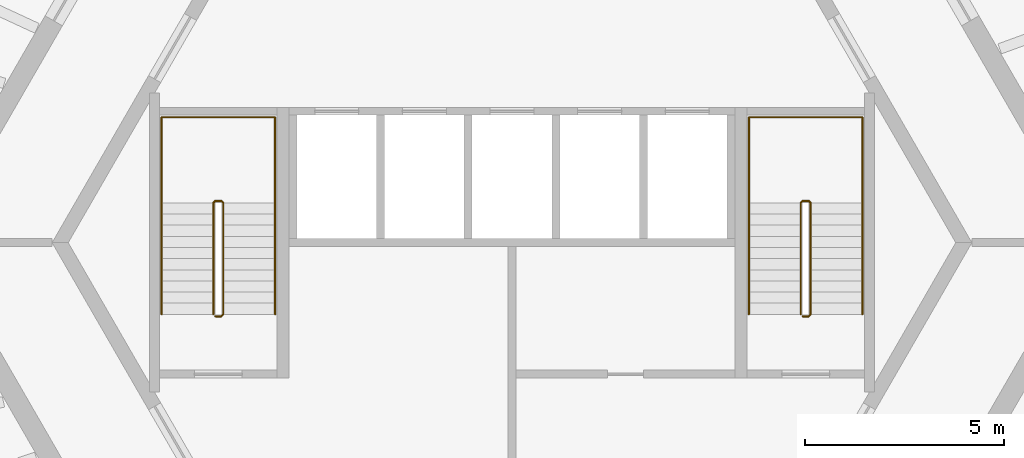
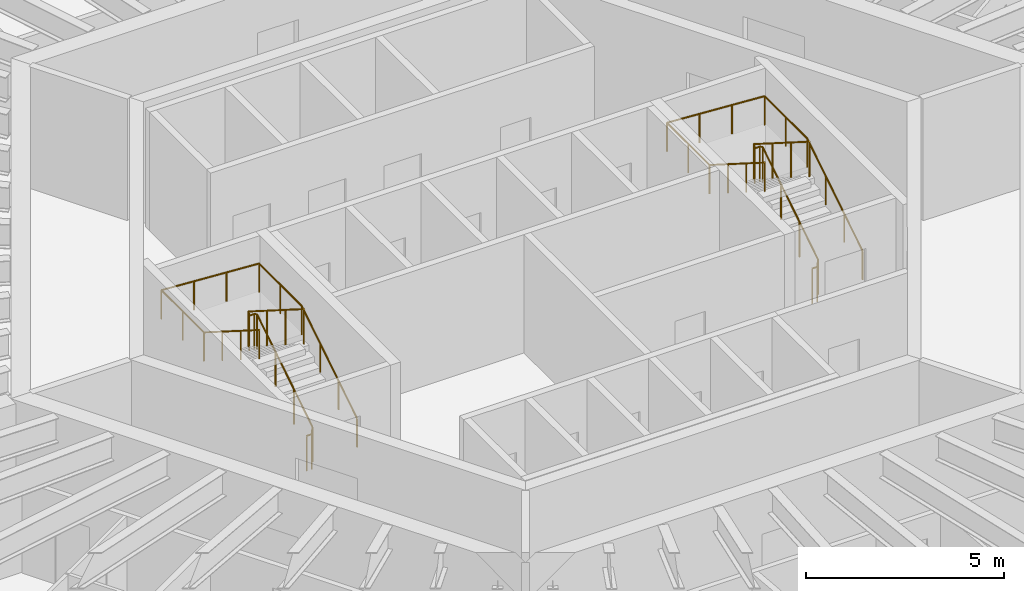
# One storey, part 10 of 10: 4 railings.
"""IFC4 building model written with IfcOpenShell, lengths in metres."""

from ifc_helpers import new_model, si_unit, direction, frame, origin, origin_2d, place, context, subcontext, project, spatial, circle, extrude, material, type_object, element, save


model = new_model("IFC4")

# Units and contexts
model_context = context("Model", 3, precision=1e-05, world=origin(), true_north=direction((0.0, 1.0)))
body_context = subcontext(model_context, "Body", "Model", "MODEL_VIEW")
ifc_project = project(units=[si_unit("LENGTHUNIT", "METRE"), si_unit("AREAUNIT", "SQUARE_METRE"), si_unit("VOLUMEUNIT", "CUBIC_METRE"), si_unit("PLANEANGLEUNIT", "RADIAN"), si_unit("MASSUNIT", "GRAM", prefix="KILO")], contexts=[model_context])

# Site, building, storey
site_placement = place(None, origin())
site = spatial("IfcSite", under=ifc_project, at=site_placement, CompositionType="ELEMENT")
building_placement = place(site_placement, origin())
building = spatial("IfcBuilding", under=site, at=building_placement, Name="Tarnside Tower", CompositionType="ELEMENT")
storey_placement = place(building_placement, frame((0.0, 0.0, 160.5)))
storey = spatial("IfcBuildingStorey", under=building, at=storey_placement, Name="L37", CompositionType="ELEMENT", Elevation=160.5)

# Railings
ifc_material = material(Name="Stainless steel", Category="steel")
railing_type_1 = type_object("IfcRailingType", Name="Stair guard 1100", PredefinedType="GUARDRAIL", material=ifc_material)
railing_1_placement = place(storey_placement, frame((7.300048828125, -1.85009765625, 0.0)))
element("IfcRailing", 1, at=railing_1_placement, inside=storey, type_object=railing_type_1, Name="L37 ST1 stair guard 1", PredefinedType="GUARDRAIL", context=body_context, shape_type="SweptSolid", body=[
    extrude(circle(Radius=0.02392578125, at=origin_2d()), frame((0.0, 0.0, 1.076171875), z_axis=(1.0, 0.0, 0.0), x_axis=(0.0, 1.0, 0.0)), (0.0, 0.0, 1.0), 0.14990234375),
    extrude(circle(Radius=0.02392578125, at=origin_2d()), frame((0.14990234375, 0.0, 1.076171875), z_axis=(0.262233686654, 0.262233686654, 0.928691007369), x_axis=(-0.707106781187, 0.707106781187, 0.0)), (0.0, 0.0, 1.0), 0.19091796875),
    extrude(circle(Radius=0.02392578125, at=origin_2d()), frame((0.199951171875, 0.050048828125, 1.25341796875), z_axis=(0.0, 0.844908973607, 0.534910110503), x_axis=(-1.0, 0.0, 0.0)), (0.0, 0.0, 1.0), 3.31396484375),
    extrude(circle(Radius=0.02392578125, at=origin_2d()), frame((0.199951171875, 2.85009765625, 3.02587890625), z_axis=(-0.707106781187, 0.707106781187, 0.0), x_axis=(-0.707106781187, -0.707106781187, 0.0)), (0.0, 0.0, 1.0), 0.07080078125),
    extrude(circle(Radius=0.02392578125, at=origin_2d()), frame((0.14990234375, 2.900146484375, 3.02587890625), z_axis=(-1.0, 0.0, 0.0), x_axis=(0.0, -1.0, 0.0)), (0.0, 0.0, 1.0), 0.14990234375),
    extrude(circle(Radius=0.02392578125, at=origin_2d()), frame((0.0, 2.900146484375, 3.02587890625), z_axis=(-0.262233686654, -0.262233686654, 0.928691007369), x_axis=(0.707106781187, -0.707106781187, 0.0)), (0.0, 0.0, 1.0), 0.19091796875),
    extrude(circle(Radius=0.02392578125, at=origin_2d()), frame((-0.050048828125, 2.85009765625, 3.203125), z_axis=(0.0, -0.844908973607, 0.534910110503), x_axis=(1.0, 0.0, 0.0)), (0.0, 0.0, 1.0), 3.31396484375),
    extrude(circle(Radius=0.02099609375, at=origin_2d()), origin(), (0.0, 0.0, 1.0), 1.052001953125),
    extrude(circle(Radius=0.02099609375, at=origin_2d()), frame((0.14990234375, 0.0, 0.0)), (0.0, 0.0, 1.0), 1.052001953125),
    extrude(circle(Radius=0.02099609375, at=origin_2d()), frame((0.199951171875, 0.050048828125, 0.17724609375)), (0.0, 0.0, 1.0), 1.052001953125),
    extrude(circle(Radius=0.02099609375, at=origin_2d()), frame((0.199951171875, 0.9833984375, 0.76806640625)), (0.0, 0.0, 1.0), 1.052001953125),
    extrude(circle(Radius=0.02099609375, at=origin_2d()), frame((0.199951171875, 1.916748046875, 1.359130859375)), (0.0, 0.0, 1.0), 1.052001953125),
    extrude(circle(Radius=0.02099609375, at=origin_2d()), frame((0.199951171875, 2.85009765625, 1.949951171875)), (0.0, 0.0, 1.0), 1.052001953125),
    extrude(circle(Radius=0.02099609375, at=origin_2d()), frame((0.14990234375, 2.900146484375, 1.949951171875)), (0.0, 0.0, 1.0), 1.052001953125),
    extrude(circle(Radius=0.02099609375, at=origin_2d()), frame((0.0, 2.900146484375, 1.949951171875)), (0.0, 0.0, 1.0), 1.052001953125),
    extrude(circle(Radius=0.02099609375, at=origin_2d()), frame((-0.050048828125, 2.85009765625, 2.127197265625)), (0.0, 0.0, 1.0), 1.052001953125),
    extrude(circle(Radius=0.02099609375, at=origin_2d()), frame((-0.050048828125, 1.916748046875, 2.718017578125)), (0.0, 0.0, 1.0), 1.052001953125),
    extrude(circle(Radius=0.02099609375, at=origin_2d()), frame((-0.050048828125, 0.9833984375, 3.30908203125)), (0.0, 0.0, 1.0), 1.052001953125),
    extrude(circle(Radius=0.02099609375, at=origin_2d()), frame((-0.050048828125, 0.050048828125, 3.89990234375)), (0.0, 0.0, 1.0), 1.052001953125),
])
railing_2_placement = place(storey_placement, frame((-7.449951171875, -1.85009765625, 0.0)))
element("IfcRailing", 2, at=railing_2_placement, inside=storey, type_object=railing_type_1, Name="L37 ST2 stair guard 1", PredefinedType="GUARDRAIL", context=body_context, shape_type="SweptSolid", body=[
    extrude(circle(Radius=0.02392578125, at=origin_2d()), frame((0.0, 0.0, 1.076171875), z_axis=(1.0, 0.0, 0.0), x_axis=(0.0, 1.0, 0.0)), (0.0, 0.0, 1.0), 0.14990234375),
    extrude(circle(Radius=0.02392578125, at=origin_2d()), frame((0.14990234375, 0.0, 1.076171875), z_axis=(0.262233686654, 0.262233686654, 0.928691007369), x_axis=(-0.707106781187, 0.707106781187, 0.0)), (0.0, 0.0, 1.0), 0.19091796875),
    extrude(circle(Radius=0.02392578125, at=origin_2d()), frame((0.199951171875, 0.050048828125, 1.25341796875), z_axis=(0.0, 0.844908973607, 0.534910110503), x_axis=(-1.0, 0.0, 0.0)), (0.0, 0.0, 1.0), 3.31396484375),
    extrude(circle(Radius=0.02392578125, at=origin_2d()), frame((0.199951171875, 2.85009765625, 3.02587890625), z_axis=(-0.707106781187, 0.707106781187, 0.0), x_axis=(-0.707106781187, -0.707106781187, 0.0)), (0.0, 0.0, 1.0), 0.07080078125),
    extrude(circle(Radius=0.02392578125, at=origin_2d()), frame((0.14990234375, 2.900146484375, 3.02587890625), z_axis=(-1.0, 0.0, 0.0), x_axis=(0.0, -1.0, 0.0)), (0.0, 0.0, 1.0), 0.14990234375),
    extrude(circle(Radius=0.02392578125, at=origin_2d()), frame((0.0, 2.900146484375, 3.02587890625), z_axis=(-0.262233686654, -0.262233686654, 0.928691007369), x_axis=(0.707106781187, -0.707106781187, 0.0)), (0.0, 0.0, 1.0), 0.19091796875),
    extrude(circle(Radius=0.02392578125, at=origin_2d()), frame((-0.050048828125, 2.85009765625, 3.203125), z_axis=(0.0, -0.844908973607, 0.534910110503), x_axis=(1.0, 0.0, 0.0)), (0.0, 0.0, 1.0), 3.31396484375),
    extrude(circle(Radius=0.02099609375, at=origin_2d()), origin(), (0.0, 0.0, 1.0), 1.052001953125),
    extrude(circle(Radius=0.02099609375, at=origin_2d()), frame((0.14990234375, 0.0, 0.0)), (0.0, 0.0, 1.0), 1.052001953125),
    extrude(circle(Radius=0.02099609375, at=origin_2d()), frame((0.199951171875, 0.050048828125, 0.17724609375)), (0.0, 0.0, 1.0), 1.052001953125),
    extrude(circle(Radius=0.02099609375, at=origin_2d()), frame((0.199951171875, 0.9833984375, 0.76806640625)), (0.0, 0.0, 1.0), 1.052001953125),
    extrude(circle(Radius=0.02099609375, at=origin_2d()), frame((0.199951171875, 1.916748046875, 1.359130859375)), (0.0, 0.0, 1.0), 1.052001953125),
    extrude(circle(Radius=0.02099609375, at=origin_2d()), frame((0.199951171875, 2.85009765625, 1.949951171875)), (0.0, 0.0, 1.0), 1.052001953125),
    extrude(circle(Radius=0.02099609375, at=origin_2d()), frame((0.14990234375, 2.900146484375, 1.949951171875)), (0.0, 0.0, 1.0), 1.052001953125),
    extrude(circle(Radius=0.02099609375, at=origin_2d()), frame((0.0, 2.900146484375, 1.949951171875)), (0.0, 0.0, 1.0), 1.052001953125),
    extrude(circle(Radius=0.02099609375, at=origin_2d()), frame((-0.050048828125, 2.85009765625, 2.127197265625)), (0.0, 0.0, 1.0), 1.052001953125),
    extrude(circle(Radius=0.02099609375, at=origin_2d()), frame((-0.050048828125, 1.916748046875, 2.718017578125)), (0.0, 0.0, 1.0), 1.052001953125),
    extrude(circle(Radius=0.02099609375, at=origin_2d()), frame((-0.050048828125, 0.9833984375, 3.30908203125)), (0.0, 0.0, 1.0), 1.052001953125),
    extrude(circle(Radius=0.02099609375, at=origin_2d()), frame((-0.050048828125, 0.050048828125, 3.89990234375)), (0.0, 0.0, 1.0), 1.052001953125),
])
railing_type_2 = type_object("IfcRailingType", Name="Stair handrail 900", PredefinedType="HANDRAIL", material=ifc_material)
railing_3_placement = place(storey_placement, frame((8.800048828125, -1.800048828125, 0.17724609375)))
element("IfcRailing", 3, at=railing_3_placement, inside=storey, type_object=railing_type_2, Name="L37 ST1 stair handrail 1", PredefinedType="HANDRAIL", context=body_context, shape_type="SweptSolid", body=[
    extrude(circle(Radius=0.02392578125, at=origin_2d()), frame((0.0, 0.0, 0.8857421875), z_axis=(0.0, 0.844908973607, 0.534910110503), x_axis=(-1.0, 0.0, 0.0)), (0.0, 0.0, 1.0), 3.31396484375),
    extrude(circle(Radius=0.02392578125, at=origin_2d()), frame((0.0, 2.800048828125, 2.65869140625), z_axis=(0.0, 1.0, 0.0), x_axis=(-1.0, 0.0, 0.0)), (0.0, 0.0, 1.0), 2.14990234375),
    extrude(circle(Radius=0.02392578125, at=origin_2d()), frame((0.0, 4.949951171875, 2.65869140625), z_axis=(-0.998071825391, 0.0, 0.06206956872), x_axis=(0.0, -1.0, 0.0)), (0.0, 0.0, 1.0), 2.855712890625),
    extrude(circle(Radius=0.02392578125, at=origin_2d()), frame((-2.85009765625, 4.949951171875, 2.8359375), z_axis=(0.0, -1.0, 0.0), x_axis=(1.0, 0.0, 0.0)), (0.0, 0.0, 1.0), 2.14990234375),
    extrude(circle(Radius=0.02392578125, at=origin_2d()), frame((-2.85009765625, 2.800048828125, 2.8359375), z_axis=(0.0, -0.844908973607, 0.534910110503), x_axis=(1.0, 0.0, 0.0)), (0.0, 0.0, 1.0), 3.31396484375),
    extrude(circle(Radius=0.02099609375, at=origin_2d()), origin(), (0.0, 0.0, 1.0), 0.86181640625),
    extrude(circle(Radius=0.02099609375, at=origin_2d()), frame((0.0, 0.933349609375, 0.5908203125)), (0.0, 0.0, 1.0), 0.86181640625),
    extrude(circle(Radius=0.02099609375, at=origin_2d()), frame((0.0, 1.86669921875, 1.181884765625)), (0.0, 0.0, 1.0), 0.86181640625),
    extrude(circle(Radius=0.02099609375, at=origin_2d()), frame((0.0, 2.800048828125, 1.772705078125)), (0.0, 0.0, 1.0), 0.86181640625),
    extrude(circle(Radius=0.02099609375, at=origin_2d()), frame((0.0, 3.875, 1.772705078125)), (0.0, 0.0, 1.0), 0.86181640625),
    extrude(circle(Radius=0.02099609375, at=origin_2d()), frame((0.0, 4.949951171875, 1.772705078125)), (0.0, 0.0, 1.0), 0.86181640625),
    extrude(circle(Radius=0.02099609375, at=origin_2d()), frame((-0.949951171875, 4.949951171875, 1.831787109375)), (0.0, 0.0, 1.0), 0.86181640625),
    extrude(circle(Radius=0.02099609375, at=origin_2d()), frame((-1.900146484375, 4.949951171875, 1.890869140625)), (0.0, 0.0, 1.0), 0.86181640625),
    extrude(circle(Radius=0.02099609375, at=origin_2d()), frame((-2.85009765625, 4.949951171875, 1.949951171875)), (0.0, 0.0, 1.0), 0.86181640625),
    extrude(circle(Radius=0.02099609375, at=origin_2d()), frame((-2.85009765625, 3.875, 1.949951171875)), (0.0, 0.0, 1.0), 0.86181640625),
    extrude(circle(Radius=0.02099609375, at=origin_2d()), frame((-2.85009765625, 2.800048828125, 1.949951171875)), (0.0, 0.0, 1.0), 0.86181640625),
    extrude(circle(Radius=0.02099609375, at=origin_2d()), frame((-2.85009765625, 1.86669921875, 2.540771484375)), (0.0, 0.0, 1.0), 0.86181640625),
    extrude(circle(Radius=0.02099609375, at=origin_2d()), frame((-2.85009765625, 0.933349609375, 3.1318359375)), (0.0, 0.0, 1.0), 0.86181640625),
    extrude(circle(Radius=0.02099609375, at=origin_2d()), frame((-2.85009765625, 0.0, 3.72265625)), (0.0, 0.0, 1.0), 0.86181640625),
])
railing_4_placement = place(storey_placement, frame((-5.949951171875, -1.800048828125, 0.17724609375)))
element("IfcRailing", 4, at=railing_4_placement, inside=storey, type_object=railing_type_2, Name="L37 ST2 stair handrail 1", PredefinedType="HANDRAIL", context=body_context, shape_type="SweptSolid", body=[
    extrude(circle(Radius=0.02392578125, at=origin_2d()), frame((0.0, 0.0, 0.8857421875), z_axis=(0.0, 0.844908973607, 0.534910110503), x_axis=(-1.0, 0.0, 0.0)), (0.0, 0.0, 1.0), 3.31396484375),
    extrude(circle(Radius=0.02392578125, at=origin_2d()), frame((0.0, 2.800048828125, 2.65869140625), z_axis=(0.0, 1.0, 0.0), x_axis=(-1.0, 0.0, 0.0)), (0.0, 0.0, 1.0), 2.14990234375),
    extrude(circle(Radius=0.02392578125, at=origin_2d()), frame((0.0, 4.949951171875, 2.65869140625), z_axis=(-0.998071825391, 0.0, 0.06206956872), x_axis=(0.0, -1.0, 0.0)), (0.0, 0.0, 1.0), 2.855712890625),
    extrude(circle(Radius=0.02392578125, at=origin_2d()), frame((-2.85009765625, 4.949951171875, 2.8359375), z_axis=(0.0, -1.0, 0.0), x_axis=(1.0, 0.0, 0.0)), (0.0, 0.0, 1.0), 2.14990234375),
    extrude(circle(Radius=0.02392578125, at=origin_2d()), frame((-2.85009765625, 2.800048828125, 2.8359375), z_axis=(0.0, -0.844908973607, 0.534910110503), x_axis=(1.0, 0.0, 0.0)), (0.0, 0.0, 1.0), 3.31396484375),
    extrude(circle(Radius=0.02099609375, at=origin_2d()), origin(), (0.0, 0.0, 1.0), 0.86181640625),
    extrude(circle(Radius=0.02099609375, at=origin_2d()), frame((0.0, 0.933349609375, 0.5908203125)), (0.0, 0.0, 1.0), 0.86181640625),
    extrude(circle(Radius=0.02099609375, at=origin_2d()), frame((0.0, 1.86669921875, 1.181884765625)), (0.0, 0.0, 1.0), 0.86181640625),
    extrude(circle(Radius=0.02099609375, at=origin_2d()), frame((0.0, 2.800048828125, 1.772705078125)), (0.0, 0.0, 1.0), 0.86181640625),
    extrude(circle(Radius=0.02099609375, at=origin_2d()), frame((0.0, 3.875, 1.772705078125)), (0.0, 0.0, 1.0), 0.86181640625),
    extrude(circle(Radius=0.02099609375, at=origin_2d()), frame((0.0, 4.949951171875, 1.772705078125)), (0.0, 0.0, 1.0), 0.86181640625),
    extrude(circle(Radius=0.02099609375, at=origin_2d()), frame((-0.949951171875, 4.949951171875, 1.831787109375)), (0.0, 0.0, 1.0), 0.86181640625),
    extrude(circle(Radius=0.02099609375, at=origin_2d()), frame((-1.900146484375, 4.949951171875, 1.890869140625)), (0.0, 0.0, 1.0), 0.86181640625),
    extrude(circle(Radius=0.02099609375, at=origin_2d()), frame((-2.85009765625, 4.949951171875, 1.949951171875)), (0.0, 0.0, 1.0), 0.86181640625),
    extrude(circle(Radius=0.02099609375, at=origin_2d()), frame((-2.85009765625, 3.875, 1.949951171875)), (0.0, 0.0, 1.0), 0.86181640625),
    extrude(circle(Radius=0.02099609375, at=origin_2d()), frame((-2.85009765625, 2.800048828125, 1.949951171875)), (0.0, 0.0, 1.0), 0.86181640625),
    extrude(circle(Radius=0.02099609375, at=origin_2d()), frame((-2.85009765625, 1.86669921875, 2.540771484375)), (0.0, 0.0, 1.0), 0.86181640625),
    extrude(circle(Radius=0.02099609375, at=origin_2d()), frame((-2.85009765625, 0.933349609375, 3.1318359375)), (0.0, 0.0, 1.0), 0.86181640625),
    extrude(circle(Radius=0.02099609375, at=origin_2d()), frame((-2.85009765625, 0.0, 3.72265625)), (0.0, 0.0, 1.0), 0.86181640625),
])

save(model, "model.ifc")
